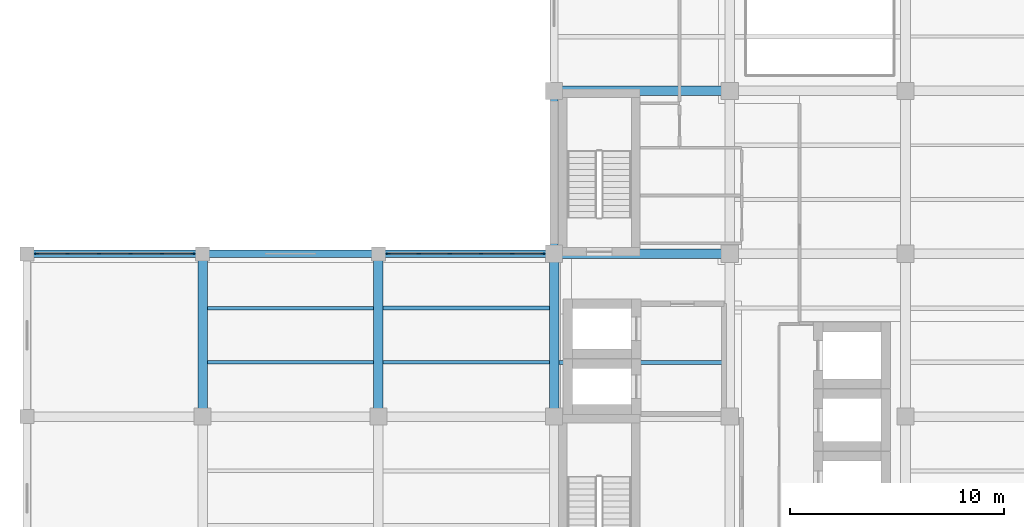
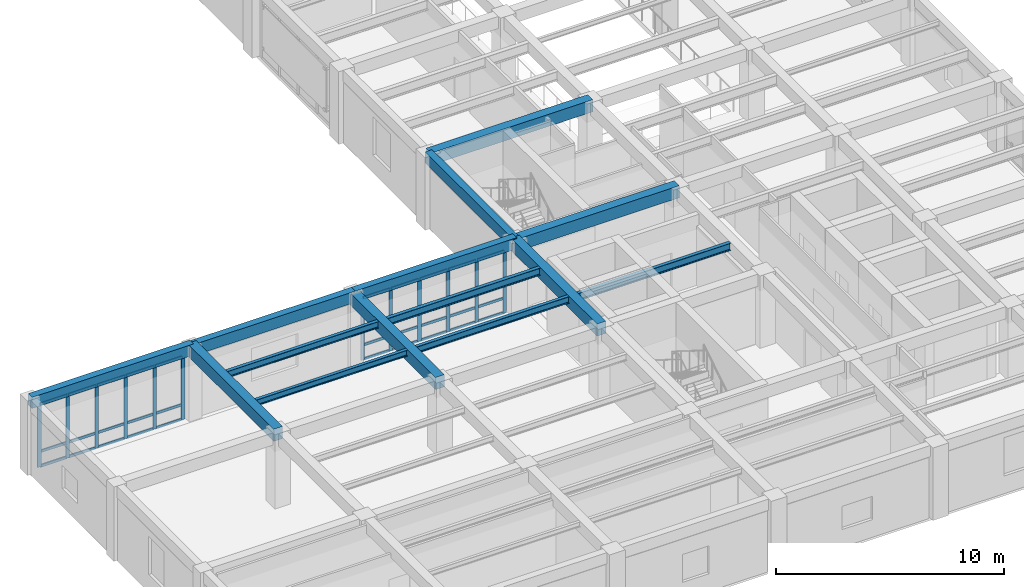
# One storey, part 2 of 15: 42 members, 14 beams, 2 elements without a shape of their own.
"""IFC4 building model written with IfcOpenShell, lengths in metres."""

import ifcopenshell
import ifcopenshell.guid

model = None  # the IFC model being written
_history = None  # IfcOwnerHistory: only IFC2X3 demands one
_inside = {}  # id of a spatial element -> (the spatial element, [elements in it])
_under = {}  # id of a project, library or spatial element -> (it, [spatial elements below it])
_declared = {}  # id of a project -> (the project, [libraries it declares])
_typed = {}  # id of a type object -> (the type object, [elements of that type])
_made_of = {}  # id of a material, layer set ... -> (it, [elements and type objects made of it])


def new_model(schema):
    """Start an empty IFC model of exactly this schema.

    Asked for "IFC4X3", IfcOpenShell would pick the latest addendum, in which some entities
    have other attributes; the version numbers below select the first issue.
    IFC2X3 requires an IfcOwnerHistory on every rooted entity: one is made here for all.
    """
    global model, _history
    if schema == "IFC4X3":
        model = ifcopenshell.file(schema_version=(4, 3, 0, 0))
    else:
        model = ifcopenshell.file(schema=schema)
    _inside.clear()
    _under.clear()
    _declared.clear()
    _typed.clear()
    _made_of.clear()
    _history = None
    if model.schema == "IFC2X3":
        org = make("IfcOrganization", Name="unknown")
        user = make(
            "IfcPersonAndOrganization",
            ThePerson=make("IfcPerson", FamilyName="unknown"),
            TheOrganization=org,
        )
        app = make(
            "IfcApplication",
            ApplicationDeveloper=org,
            Version="unknown",
            ApplicationFullName="unknown",
            ApplicationIdentifier="unknown",
        )
        _history = make(
            "IfcOwnerHistory",
            OwningUser=user,
            OwningApplication=app,
            ChangeAction="ADDED",
            CreationDate=0,
        )
    return model


def make(cls, **values):
    """One entity of the class cls with the attributes given. An attribute that is None is left unset."""
    return model.create_entity(
        cls, **{name: value for name, value in values.items() if value is not None}
    )


def rooted(cls, **values):
    """An entity with a GlobalId (a new one), such as an element, a storey or a relation."""
    return make(cls, GlobalId=ifcopenshell.guid.new(), OwnerHistory=_history, **values)


def si_unit(unit_type, name, prefix=None):
    """IfcSIUnit, for example si_unit("LENGTHUNIT", "METRE", prefix="MILLI")."""
    return make("IfcSIUnit", UnitType=unit_type, Prefix=prefix, Name=name)


def assignment(units):
    """IfcUnitAssignment: the units of a project."""
    return None if units is None else make("IfcUnitAssignment", Units=units)


def point(xyz):
    """IfcCartesianPoint."""
    return None if xyz is None else make("IfcCartesianPoint", Coordinates=xyz)


def direction(xyz):
    """IfcDirection."""
    return None if xyz is None else make("IfcDirection", DirectionRatios=xyz)


def frame(location, z_axis=None, x_axis=None):
    """IfcAxis2Placement3D, a coordinate frame: its origin and axes. An axis left out is left unset."""
    return make(
        "IfcAxis2Placement3D",
        Location=point(location),
        Axis=direction(z_axis),
        RefDirection=direction(x_axis),
    )


def frame_2d(location, x_axis=None):
    """IfcAxis2Placement2D, a coordinate frame in the plane: its origin and x axis."""
    return make(
        "IfcAxis2Placement2D", Location=point(location), RefDirection=direction(x_axis)
    )


def origin():
    """The frame at (0, 0, 0) with its axes left unset."""
    return frame((0.0, 0.0, 0.0))


def origin_2d():
    """The frame at (0, 0) in the plane with its x axis left unset."""
    return frame_2d((0.0, 0.0))


def place(relative_to, where):
    """IfcLocalPlacement: puts the frame where relative to a parent placement (None: the world)."""
    return make(
        "IfcLocalPlacement", PlacementRelTo=relative_to, RelativePlacement=where
    )


def context(
    kind, dimensions, precision=None, world=None, true_north=None, identifier=None
):
    """IfcGeometricRepresentationContext, for example the 3D "Model" context."""
    return make(
        "IfcGeometricRepresentationContext",
        ContextIdentifier=identifier,
        ContextType=kind,
        CoordinateSpaceDimension=dimensions,
        Precision=precision,
        WorldCoordinateSystem=world,
        TrueNorth=true_north,
    )


def subcontext(parent, identifier, kind, view, scale=None):
    """IfcGeometricRepresentationSubContext, for example "Body" below "Model"."""
    return make(
        "IfcGeometricRepresentationSubContext",
        ContextIdentifier=identifier,
        ContextType=kind,
        ParentContext=parent,
        TargetScale=scale,
        TargetView=view,
    )


def project(units=None, contexts=None):
    """IfcProject with its units and contexts."""
    return rooted(
        "IfcProject",
        Name="project",
        RepresentationContexts=contexts,
        UnitsInContext=assignment(units),
    )


def spatial(cls, under=None, at=None, **own):
    """A site, building, storey or space (cls), placed at a placement, below another one or the project."""
    s = rooted(cls, ObjectPlacement=at, **own)
    if under is not None:
        _under.setdefault(under.id(), (under, []))[1].append(s)
    return s


def profile(cls, at=None, kind="AREA", **sizes):
    """A parametric profile (cls). Its sizes go by their IFC names, for example OverallWidth=200.0."""
    return make(cls, ProfileType=kind, Position=at, **sizes)


def rectangle(**sizes):
    """IfcRectangleProfileDef."""
    return profile("IfcRectangleProfileDef", **sizes)


def i_section(**sizes):
    """IfcIShapeProfileDef."""
    return profile("IfcIShapeProfileDef", **sizes)


def extrude(swept, where, along, depth):
    """IfcExtrudedAreaSolid: the profile swept, set in the frame where, extruded along a direction by depth."""
    return make(
        "IfcExtrudedAreaSolid",
        SweptArea=swept,
        Position=where,
        ExtrudedDirection=direction(along),
        Depth=depth,
    )


def shape(context_of_items, identifier, shape_type, items):
    """IfcShapeRepresentation: the items that make up one representation, for example the "Body"."""
    return make(
        "IfcShapeRepresentation",
        ContextOfItems=context_of_items,
        RepresentationIdentifier=identifier,
        RepresentationType=shape_type,
        Items=items,
    )


def material(Name=None, Category=None):
    """IfcMaterial."""
    return make("IfcMaterial", Name=Name, Category=Category)


def material_profile(
    of_material, cross_section, Name=None, Category=None, Priority=None
):
    """IfcMaterialProfile: a cross section and its material."""
    return make(
        "IfcMaterialProfile",
        Name=Name,
        Material=of_material,
        Profile=cross_section,
        Priority=Priority,
        Category=Category,
    )


def profile_set(profiles, Name=None, composite=None):
    """IfcMaterialProfileSet."""
    return make(
        "IfcMaterialProfileSet",
        Name=Name,
        MaterialProfiles=profiles,
        CompositeProfile=composite,
    )


def made_of(thing, what):
    """Note that an element or type object is made of a material, layer set ...; save() writes the relation."""
    if what is not None:
        _made_of.setdefault(what.id(), (what, []))[1].append(thing)
    return thing


def type_object(cls, material=None, **own):
    """A type object (cls), such as IfcWallType, which elements share."""
    return made_of(rooted(cls, **own), material)


def element(
    cls,
    number,
    at=None,
    inside=None,
    cuts=None,
    type_object=None,
    material=None,
    context=None,
    identifier="Body",
    shape_type=None,
    held_by="IfcProductDefinitionShape",
    body=None,
    shapes=None,
    **own,
):
    """One element of the class cls, such as IfcWall. Its Tag is "e" and its number.

    at: its placement. inside: the storey or other place that contains it. cuts: it is an
    opening in that element (IfcRelVoidsElement). A single representation is given by context,
    identifier, shape_type and body (its items); several are given by shapes. held_by: the class
    of the entity that holds the representations. save() writes the other relations.
    """
    e = rooted(cls, Tag="e%d" % number, ObjectPlacement=at, **own)
    if body is not None:
        shapes = [shape(context, identifier, shape_type, body)]
    if shapes is not None:
        e.Representation = make(held_by, Representations=shapes)
    if inside is not None:
        _inside.setdefault(inside.id(), (inside, []))[1].append(e)
    if cuts is not None:
        rooted(
            "IfcRelVoidsElement", RelatingBuildingElement=cuts, RelatedOpeningElement=e
        )
    if type_object is not None:
        _typed.setdefault(type_object.id(), (type_object, []))[1].append(e)
    return made_of(e, material)


def aggregate(whole, parts):
    """IfcRelAggregates: a whole, such as a stair, and the parts it consists of."""
    return rooted("IfcRelAggregates", RelatingObject=whole, RelatedObjects=parts)


def save(model, path):
    """Write the relations noted so far, then the file.

    IfcRelAggregates (storeys below a building ...), IfcRelContainedInSpatialStructure (elements
    in a storey), IfcRelDefinesByType, IfcRelAssociatesMaterial and IfcRelDeclares: one each for
    every whole, place, type object, material and project.
    """
    for whole, parts in _under.values():
        aggregate(whole, parts)
    for where, things in _inside.values():
        rooted(
            "IfcRelContainedInSpatialStructure",
            RelatedElements=things,
            RelatingStructure=where,
        )
    for kind, things in _typed.values():
        rooted("IfcRelDefinesByType", RelatedObjects=things, RelatingType=kind)
    for what, things in _made_of.values():
        rooted("IfcRelAssociatesMaterial", RelatedObjects=things, RelatingMaterial=what)
    for by, libraries in _declared.values():
        rooted("IfcRelDeclares", RelatingContext=by, RelatedDefinitions=libraries)
    model.write(path)


model = new_model("IFC4")

# Units and contexts
model_context = context("Model", 3, precision=1e-05, world=origin(), true_north=direction((0.0, 1.0)))
body_context = subcontext(model_context, "Body", "Model", "MODEL_VIEW")
ifc_project = project(units=[si_unit("LENGTHUNIT", "METRE"), si_unit("AREAUNIT", "SQUARE_METRE"), si_unit("VOLUMEUNIT", "CUBIC_METRE"), si_unit("PLANEANGLEUNIT", "RADIAN"), si_unit("MASSUNIT", "GRAM", prefix="KILO")], contexts=[model_context])

# Site, building, storey
site_placement = place(None, origin())
site = spatial("IfcSite", under=ifc_project, at=site_placement, CompositionType="ELEMENT")
building_placement = place(site_placement, origin())
building = spatial("IfcBuilding", under=site, at=building_placement, Name="Qandaris Square Conservatory and Botanical Centre", CompositionType="ELEMENT")
storey_placement = place(building_placement, frame((0.0, 0.0, 32.39990234375)))
storey = spatial("IfcBuildingStorey", under=building, at=storey_placement, Name="L07", CompositionType="ELEMENT", Elevation=32.39990234375)

# Beams
ifc_material_1 = material(Name="Steel S355", Category="steel")
ifc_material_profile_1 = material_profile(ifc_material_1, i_section(OverallWidth=0.159912109375, OverallDepth=0.330078125, WebThickness=0.007568359375, FlangeThickness=0.011474609375, FilletRadius=0.01806640625, at=origin_2d()), Name="IPE 330")
ifc_profile_set_1 = profile_set([ifc_material_profile_1], Name="Steel S355")
beam_type_1 = type_object("IfcBeamType", Name="Composite Lab Joist IPE 330", PredefinedType="JOIST", material=ifc_profile_set_1)
beam_1_placement = place(storey_placement, frame((123.02490234375, 34.333251953125, 3.715087890625), z_axis=(1.0, 0.0, 0.0), x_axis=(0.0, 1.0, 0.0)))
element("IfcBeam", 1, at=beam_1_placement, inside=storey, type_object=beam_type_1, Name="L07 Composite Joist 2168", PredefinedType="JOIST", context=body_context, shape_type="SweptSolid", body=[
    extrude(i_section(OverallWidth=0.159912109375, OverallDepth=0.330078125, WebThickness=0.007568359375, FlangeThickness=0.011474609375, FilletRadius=0.01806640625, at=origin_2d()), origin(), (0.0, 0.0, 1.0), 7.75),
])
ifc_material_profile_2 = material_profile(ifc_material_1, i_section(OverallWidth=0.169921875, OverallDepth=0.360107421875, WebThickness=0.008056640625, FlangeThickness=0.0126953125, FilletRadius=0.01806640625, at=origin_2d()), Name="IPE 360")
ifc_profile_set_2 = profile_set([ifc_material_profile_2], Name="Steel S355")
beam_type_2 = type_object("IfcBeamType", Name="Composite Lab Joist IPE 360", PredefinedType="JOIST", material=ifc_profile_set_2)
for number, where, z_axis, x_axis, name in (
    (2, (123.02490234375, 36.86669921875, 3.7001953125), (1.0, 0.0, 0.0), (0.0, 1.0, 0.0), "L07 Composite Joist 2169"),
    (3, (131.22509765625, 34.333251953125, 3.7001953125), (1.0, 0.0, 0.0), (0.0, 1.0, 0.0), "L07 Composite Joist 2174"),
):
    element("IfcBeam", number, at=place(storey_placement, frame(where, z_axis=z_axis, x_axis=x_axis)), inside=storey, type_object=beam_type_2, Name=name, PredefinedType="JOIST", context=body_context, shape_type="SweptSolid", body=[
        extrude(i_section(OverallWidth=0.169921875, OverallDepth=0.360107421875, WebThickness=0.008056640625, FlangeThickness=0.0126953125, FilletRadius=0.01806640625, at=origin_2d()), origin(), (0.0, 0.0, 1.0), 7.75),
    ])
ifc_material_profile_3 = material_profile(ifc_material_1, i_section(OverallWidth=0.179931640625, OverallDepth=0.39990234375, WebThickness=0.008544921875, FlangeThickness=0.013427734375, FilletRadius=0.02099609375, at=origin_2d()), Name="IPE 400")
ifc_profile_set_3 = profile_set([ifc_material_profile_3], Name="Steel S355")
beam_type_3 = type_object("IfcBeamType", Name="Composite Plinth Joist IPE 400", PredefinedType="JOIST", material=ifc_profile_set_3)
for number, where, z_axis, x_axis, name in (
    (4, (131.22509765625, 36.86669921875, 3.68017578125), (1.0, 0.0, 0.0), (0.0, 1.0, 0.0), "L07 Composite Joist 2175"),
    (5, (139.425048828125, 34.333251953125, 3.68017578125), (1.0, 0.0, 0.0), (0.0, 1.0, 0.0), "L07 Composite Joist 2178"),
):
    element("IfcBeam", number, at=place(storey_placement, frame(where, z_axis=z_axis, x_axis=x_axis)), inside=storey, type_object=beam_type_3, Name=name, PredefinedType="JOIST", context=body_context, shape_type="SweptSolid", body=[
        extrude(i_section(OverallWidth=0.179931640625, OverallDepth=0.39990234375, WebThickness=0.008544921875, FlangeThickness=0.013427734375, FilletRadius=0.02099609375, at=origin_2d()), origin(), (0.0, 0.0, 1.0), 7.75),
    ])

# Curtain wall, members
ifc_material_2 = material(Name="Anodised Aluminium", Category="aluminium")
curtain_wall_type_1 = type_object("IfcCurtainWallType", Name="Unitised Curtain Wall CW-4-727x334", PredefinedType="USERDEFINED", material=ifc_material_2)
curtain_wall_1_placement = place(storey_placement, origin())
curtain_wall_1 = element("IfcCurtainWall", 6, at=curtain_wall_1_placement, inside=storey, type_object=curtain_wall_type_1, Name="Curtain Wall CW-TWR-L07-5-1", ObjectType="GLAZED CURTAIN WALL", PredefinedType="USERDEFINED")
ifc_material_profile_4 = material_profile(ifc_material_2, rectangle(XDim=0.06494140625, YDim=0.179931640625, at=origin_2d()), Name="ALU-MUL 65x180")
ifc_profile_set_4 = profile_set([ifc_material_profile_4], Name="Anodised Aluminium")
member_type_1 = type_object("IfcMemberType", Name="Curtain Wall Mullion 65x180", PredefinedType="MULLION", material=ifc_profile_set_4)
member_1_placement = place(storey_placement, frame((138.66748046875, 39.39990234375, 0.0), z_axis=(0.0, 0.0, 1.0), x_axis=(0.0, -1.0, 0.0)))
member_1 = element("IfcMember", 7, at=member_1_placement, type_object=member_type_1, Name="CW-4-727x334 mullion 1", PredefinedType="MULLION", context=body_context, shape_type="SweptSolid", body=[
    extrude(rectangle(XDim=0.06494140625, YDim=0.179931640625, at=origin_2d()), origin(), (0.0, 0.0, 1.0), 3.34521484375),
])
member_2_placement = place(storey_placement, frame((137.2451171875, 39.39990234375, 0.0), z_axis=(0.0, 0.0, 1.0), x_axis=(0.0, -1.0, 0.0)))
member_2 = element("IfcMember", 8, at=member_2_placement, type_object=member_type_1, Name="CW-4-727x334 mullion 2", PredefinedType="MULLION", context=body_context, shape_type="SweptSolid", body=[
    extrude(rectangle(XDim=0.06494140625, YDim=0.179931640625, at=origin_2d()), origin(), (0.0, 0.0, 1.0), 3.34521484375),
])
member_3_placement = place(storey_placement, frame((135.7900390625, 39.39990234375, 0.0), z_axis=(0.0, 0.0, 1.0), x_axis=(0.0, -1.0, 0.0)))
member_3 = element("IfcMember", 9, at=member_3_placement, type_object=member_type_1, Name="CW-4-727x334 mullion 3", PredefinedType="MULLION", context=body_context, shape_type="SweptSolid", body=[
    extrude(rectangle(XDim=0.06494140625, YDim=0.179931640625, at=origin_2d()), origin(), (0.0, 0.0, 1.0), 3.34521484375),
])
member_4_placement = place(storey_placement, frame((134.3349609375, 39.39990234375, 0.0), z_axis=(0.0, 0.0, 1.0), x_axis=(0.0, -1.0, 0.0)))
member_4 = element("IfcMember", 10, at=member_4_placement, type_object=member_type_1, Name="CW-4-727x334 mullion 4", PredefinedType="MULLION", context=body_context, shape_type="SweptSolid", body=[
    extrude(rectangle(XDim=0.06494140625, YDim=0.179931640625, at=origin_2d()), origin(), (0.0, 0.0, 1.0), 3.34521484375),
])
member_5_placement = place(storey_placement, frame((132.8798828125, 39.39990234375, 0.0), z_axis=(0.0, 0.0, 1.0), x_axis=(0.0, -1.0, 0.0)))
member_5 = element("IfcMember", 11, at=member_5_placement, type_object=member_type_1, Name="CW-4-727x334 mullion 5", PredefinedType="MULLION", context=body_context, shape_type="SweptSolid", body=[
    extrude(rectangle(XDim=0.06494140625, YDim=0.179931640625, at=origin_2d()), origin(), (0.0, 0.0, 1.0), 3.34521484375),
])
member_6_placement = place(storey_placement, frame((131.45751953125, 39.39990234375, 0.0), z_axis=(0.0, 0.0, 1.0), x_axis=(0.0, -1.0, 0.0)))
member_6 = element("IfcMember", 12, at=member_6_placement, type_object=member_type_1, Name="CW-4-727x334 mullion 6", PredefinedType="MULLION", context=body_context, shape_type="SweptSolid", body=[
    extrude(rectangle(XDim=0.06494140625, YDim=0.179931640625, at=origin_2d()), origin(), (0.0, 0.0, 1.0), 3.34521484375),
])

curtain_wall_type_2 = type_object("IfcCurtainWallType", Name="Unitised Curtain Wall CW-4-735x338", PredefinedType="USERDEFINED", material=ifc_material_2)
curtain_wall_2_placement = place(storey_placement, origin())
curtain_wall_2 = element("IfcCurtainWall", 13, at=curtain_wall_2_placement, inside=storey, type_object=curtain_wall_type_2, Name="Curtain Wall CW-TWR-L07-5-3", ObjectType="GLAZED CURTAIN WALL", PredefinedType="USERDEFINED")
member_7_placement = place(storey_placement, frame((122.342529296875, 39.39990234375, 0.0), z_axis=(0.0, 0.0, 1.0), x_axis=(0.0, -1.0, 0.0)))
member_7 = element("IfcMember", 14, at=member_7_placement, type_object=member_type_1, Name="CW-4-735x338 mullion 1", PredefinedType="MULLION", context=body_context, shape_type="SweptSolid", body=[
    extrude(rectangle(XDim=0.06494140625, YDim=0.179931640625, at=origin_2d()), origin(), (0.0, 0.0, 1.0), 3.385009765625),
])
member_8_placement = place(storey_placement, frame((120.905029296875, 39.39990234375, 0.0), z_axis=(0.0, 0.0, 1.0), x_axis=(0.0, -1.0, 0.0)))
member_8 = element("IfcMember", 15, at=member_8_placement, type_object=member_type_1, Name="CW-4-735x338 mullion 2", PredefinedType="MULLION", context=body_context, shape_type="SweptSolid", body=[
    extrude(rectangle(XDim=0.06494140625, YDim=0.179931640625, at=origin_2d()), origin(), (0.0, 0.0, 1.0), 3.385009765625),
])
member_9_placement = place(storey_placement, frame((119.43505859375, 39.39990234375, 0.0), z_axis=(0.0, 0.0, 1.0), x_axis=(0.0, -1.0, 0.0)))
member_9 = element("IfcMember", 16, at=member_9_placement, type_object=member_type_1, Name="CW-4-735x338 mullion 3", PredefinedType="MULLION", context=body_context, shape_type="SweptSolid", body=[
    extrude(rectangle(XDim=0.06494140625, YDim=0.179931640625, at=origin_2d()), origin(), (0.0, 0.0, 1.0), 3.385009765625),
])
member_10_placement = place(storey_placement, frame((117.965087890625, 39.39990234375, 0.0), z_axis=(0.0, 0.0, 1.0), x_axis=(0.0, -1.0, 0.0)))
member_10 = element("IfcMember", 17, at=member_10_placement, type_object=member_type_1, Name="CW-4-735x338 mullion 4", PredefinedType="MULLION", context=body_context, shape_type="SweptSolid", body=[
    extrude(rectangle(XDim=0.06494140625, YDim=0.179931640625, at=origin_2d()), origin(), (0.0, 0.0, 1.0), 3.385009765625),
])
member_11_placement = place(storey_placement, frame((116.4951171875, 39.39990234375, 0.0), z_axis=(0.0, 0.0, 1.0), x_axis=(0.0, -1.0, 0.0)))
member_11 = element("IfcMember", 18, at=member_11_placement, type_object=member_type_1, Name="CW-4-735x338 mullion 5", PredefinedType="MULLION", context=body_context, shape_type="SweptSolid", body=[
    extrude(rectangle(XDim=0.06494140625, YDim=0.179931640625, at=origin_2d()), origin(), (0.0, 0.0, 1.0), 3.385009765625),
])
member_12_placement = place(storey_placement, frame((115.0576171875, 39.39990234375, 0.0), z_axis=(0.0, 0.0, 1.0), x_axis=(0.0, -1.0, 0.0)))
member_12 = element("IfcMember", 19, at=member_12_placement, type_object=member_type_1, Name="CW-4-735x338 mullion 6", PredefinedType="MULLION", context=body_context, shape_type="SweptSolid", body=[
    extrude(rectangle(XDim=0.06494140625, YDim=0.179931640625, at=origin_2d()), origin(), (0.0, 0.0, 1.0), 3.385009765625),
])

# Member
ifc_material_profile_5 = material_profile(ifc_material_2, rectangle(XDim=0.06494140625, YDim=0.139892578125, at=origin_2d()), Name="ALU-TRN 65x140")
ifc_profile_set_5 = profile_set([ifc_material_profile_5], Name="Anodised Aluminium")
member_type_2 = type_object("IfcMemberType", Name="Curtain Wall Transom 65x140", PredefinedType="USERDEFINED", material=ifc_profile_set_5)
member_13_placement = place(storey_placement, frame((138.635009765625, 39.39990234375, 0.03271484375), z_axis=(-1.0, 0.0, 0.0), x_axis=(0.0, -1.0, 0.0)))
member_13 = element("IfcMember", 20, at=member_13_placement, type_object=member_type_2, Name="CW-4-727x334 transom 1.1", ObjectType="TRANSOM", PredefinedType="USERDEFINED", context=body_context, shape_type="SweptSolid", body=[
    extrude(rectangle(XDim=0.06494140625, YDim=0.139892578125, at=origin_2d()), origin(), (0.0, 0.0, 1.0), 1.357421875),
])

member_14_placement = place(storey_placement, frame((138.635009765625, 39.39990234375, 0.802978515625), z_axis=(-1.0, 0.0, 0.0), x_axis=(0.0, -1.0, 0.0)))
member_14 = element("IfcMember", 21, at=member_14_placement, type_object=member_type_2, Name="CW-4-727x334 transom 1.2", ObjectType="TRANSOM", PredefinedType="USERDEFINED", context=body_context, shape_type="SweptSolid", body=[
    extrude(rectangle(XDim=0.06494140625, YDim=0.139892578125, at=origin_2d()), origin(), (0.0, 0.0, 1.0), 1.357421875),
])

member_15_placement = place(storey_placement, frame((138.635009765625, 39.39990234375, 3.3125), z_axis=(-1.0, 0.0, 0.0), x_axis=(0.0, -1.0, 0.0)))
member_15 = element("IfcMember", 22, at=member_15_placement, type_object=member_type_2, Name="CW-4-727x334 transom 1.3", ObjectType="TRANSOM", PredefinedType="USERDEFINED", context=body_context, shape_type="SweptSolid", body=[
    extrude(rectangle(XDim=0.06494140625, YDim=0.139892578125, at=origin_2d()), origin(), (0.0, 0.0, 1.0), 1.357421875),
])

member_16_placement = place(storey_placement, frame((137.21240234375, 39.39990234375, 0.03271484375), z_axis=(-1.0, 0.0, 0.0), x_axis=(0.0, -1.0, 0.0)))
member_16 = element("IfcMember", 23, at=member_16_placement, type_object=member_type_2, Name="CW-4-727x334 transom 2.1", ObjectType="TRANSOM", PredefinedType="USERDEFINED", context=body_context, shape_type="SweptSolid", body=[
    extrude(rectangle(XDim=0.06494140625, YDim=0.139892578125, at=origin_2d()), origin(), (0.0, 0.0, 1.0), 1.389892578125),
])

member_17_placement = place(storey_placement, frame((137.21240234375, 39.39990234375, 0.802978515625), z_axis=(-1.0, 0.0, 0.0), x_axis=(0.0, -1.0, 0.0)))
member_17 = element("IfcMember", 24, at=member_17_placement, type_object=member_type_2, Name="CW-4-727x334 transom 2.2", ObjectType="TRANSOM", PredefinedType="USERDEFINED", context=body_context, shape_type="SweptSolid", body=[
    extrude(rectangle(XDim=0.06494140625, YDim=0.139892578125, at=origin_2d()), origin(), (0.0, 0.0, 1.0), 1.389892578125),
])

member_18_placement = place(storey_placement, frame((137.21240234375, 39.39990234375, 3.3125), z_axis=(-1.0, 0.0, 0.0), x_axis=(0.0, -1.0, 0.0)))
member_18 = element("IfcMember", 25, at=member_18_placement, type_object=member_type_2, Name="CW-4-727x334 transom 2.3", ObjectType="TRANSOM", PredefinedType="USERDEFINED", context=body_context, shape_type="SweptSolid", body=[
    extrude(rectangle(XDim=0.06494140625, YDim=0.139892578125, at=origin_2d()), origin(), (0.0, 0.0, 1.0), 1.389892578125),
])

member_19_placement = place(storey_placement, frame((135.757568359375, 39.39990234375, 0.03271484375), z_axis=(-1.0, 0.0, 0.0), x_axis=(0.0, -1.0, 0.0)))
member_19 = element("IfcMember", 26, at=member_19_placement, type_object=member_type_2, Name="CW-4-727x334 transom 3.1", ObjectType="TRANSOM", PredefinedType="USERDEFINED", context=body_context, shape_type="SweptSolid", body=[
    extrude(rectangle(XDim=0.06494140625, YDim=0.139892578125, at=origin_2d()), origin(), (0.0, 0.0, 1.0), 1.39013671875),
])

member_20_placement = place(storey_placement, frame((135.757568359375, 39.39990234375, 0.802978515625), z_axis=(-1.0, 0.0, 0.0), x_axis=(0.0, -1.0, 0.0)))
member_20 = element("IfcMember", 27, at=member_20_placement, type_object=member_type_2, Name="CW-4-727x334 transom 3.2", ObjectType="TRANSOM", PredefinedType="USERDEFINED", context=body_context, shape_type="SweptSolid", body=[
    extrude(rectangle(XDim=0.06494140625, YDim=0.139892578125, at=origin_2d()), origin(), (0.0, 0.0, 1.0), 1.39013671875),
])

member_21_placement = place(storey_placement, frame((135.757568359375, 39.39990234375, 3.3125), z_axis=(-1.0, 0.0, 0.0), x_axis=(0.0, -1.0, 0.0)))
member_21 = element("IfcMember", 28, at=member_21_placement, type_object=member_type_2, Name="CW-4-727x334 transom 3.3", ObjectType="TRANSOM", PredefinedType="USERDEFINED", context=body_context, shape_type="SweptSolid", body=[
    extrude(rectangle(XDim=0.06494140625, YDim=0.139892578125, at=origin_2d()), origin(), (0.0, 0.0, 1.0), 1.39013671875),
])

member_22_placement = place(storey_placement, frame((134.302490234375, 39.39990234375, 0.03271484375), z_axis=(-1.0, 0.0, 0.0), x_axis=(0.0, -1.0, 0.0)))
member_22 = element("IfcMember", 29, at=member_22_placement, type_object=member_type_2, Name="CW-4-727x334 transom 4.1", ObjectType="TRANSOM", PredefinedType="USERDEFINED", context=body_context, shape_type="SweptSolid", body=[
    extrude(rectangle(XDim=0.06494140625, YDim=0.139892578125, at=origin_2d()), origin(), (0.0, 0.0, 1.0), 1.389892578125),
])

member_23_placement = place(storey_placement, frame((134.302490234375, 39.39990234375, 0.802978515625), z_axis=(-1.0, 0.0, 0.0), x_axis=(0.0, -1.0, 0.0)))
member_23 = element("IfcMember", 30, at=member_23_placement, type_object=member_type_2, Name="CW-4-727x334 transom 4.2", ObjectType="TRANSOM", PredefinedType="USERDEFINED", context=body_context, shape_type="SweptSolid", body=[
    extrude(rectangle(XDim=0.06494140625, YDim=0.139892578125, at=origin_2d()), origin(), (0.0, 0.0, 1.0), 1.389892578125),
])

member_24_placement = place(storey_placement, frame((134.302490234375, 39.39990234375, 3.3125), z_axis=(-1.0, 0.0, 0.0), x_axis=(0.0, -1.0, 0.0)))
member_24 = element("IfcMember", 31, at=member_24_placement, type_object=member_type_2, Name="CW-4-727x334 transom 4.3", ObjectType="TRANSOM", PredefinedType="USERDEFINED", context=body_context, shape_type="SweptSolid", body=[
    extrude(rectangle(XDim=0.06494140625, YDim=0.139892578125, at=origin_2d()), origin(), (0.0, 0.0, 1.0), 1.389892578125),
])

member_25_placement = place(storey_placement, frame((132.847412109375, 39.39990234375, 0.03271484375), z_axis=(-1.0, 0.0, 0.0), x_axis=(0.0, -1.0, 0.0)))
member_25 = element("IfcMember", 32, at=member_25_placement, type_object=member_type_2, Name="CW-4-727x334 transom 5.1", ObjectType="TRANSOM", PredefinedType="USERDEFINED", context=body_context, shape_type="SweptSolid", body=[
    extrude(rectangle(XDim=0.06494140625, YDim=0.139892578125, at=origin_2d()), origin(), (0.0, 0.0, 1.0), 1.357421875),
])

member_26_placement = place(storey_placement, frame((132.847412109375, 39.39990234375, 0.802978515625), z_axis=(-1.0, 0.0, 0.0), x_axis=(0.0, -1.0, 0.0)))
member_26 = element("IfcMember", 33, at=member_26_placement, type_object=member_type_2, Name="CW-4-727x334 transom 5.2", ObjectType="TRANSOM", PredefinedType="USERDEFINED", context=body_context, shape_type="SweptSolid", body=[
    extrude(rectangle(XDim=0.06494140625, YDim=0.139892578125, at=origin_2d()), origin(), (0.0, 0.0, 1.0), 1.357421875),
])

member_27_placement = place(storey_placement, frame((132.847412109375, 39.39990234375, 3.3125), z_axis=(-1.0, 0.0, 0.0), x_axis=(0.0, -1.0, 0.0)))
member_27 = element("IfcMember", 34, at=member_27_placement, type_object=member_type_2, Name="CW-4-727x334 transom 5.3", ObjectType="TRANSOM", PredefinedType="USERDEFINED", context=body_context, shape_type="SweptSolid", body=[
    extrude(rectangle(XDim=0.06494140625, YDim=0.139892578125, at=origin_2d()), origin(), (0.0, 0.0, 1.0), 1.357421875),
])

aggregate(curtain_wall_1, [member_1, member_2, member_3, member_4, member_5, member_6, member_13, member_14, member_15, member_16, member_17, member_18, member_19, member_20, member_21, member_22, member_23, member_24, member_25, member_26, member_27])

member_28_placement = place(storey_placement, frame((122.31005859375, 39.39990234375, 0.03271484375), z_axis=(-1.0, 0.0, 0.0), x_axis=(0.0, -1.0, 0.0)))
member_28 = element("IfcMember", 35, at=member_28_placement, type_object=member_type_2, Name="CW-4-735x338 transom 1.1", ObjectType="TRANSOM", PredefinedType="USERDEFINED", context=body_context, shape_type="SweptSolid", body=[
    extrude(rectangle(XDim=0.06494140625, YDim=0.139892578125, at=origin_2d()), origin(), (0.0, 0.0, 1.0), 1.37255859375),
])

member_29_placement = place(storey_placement, frame((122.31005859375, 39.39990234375, 0.8125), z_axis=(-1.0, 0.0, 0.0), x_axis=(0.0, -1.0, 0.0)))
member_29 = element("IfcMember", 36, at=member_29_placement, type_object=member_type_2, Name="CW-4-735x338 transom 1.2", ObjectType="TRANSOM", PredefinedType="USERDEFINED", context=body_context, shape_type="SweptSolid", body=[
    extrude(rectangle(XDim=0.06494140625, YDim=0.139892578125, at=origin_2d()), origin(), (0.0, 0.0, 1.0), 1.37255859375),
])

member_30_placement = place(storey_placement, frame((122.31005859375, 39.39990234375, 3.3525390625), z_axis=(-1.0, 0.0, 0.0), x_axis=(0.0, -1.0, 0.0)))
member_30 = element("IfcMember", 37, at=member_30_placement, type_object=member_type_2, Name="CW-4-735x338 transom 1.3", ObjectType="TRANSOM", PredefinedType="USERDEFINED", context=body_context, shape_type="SweptSolid", body=[
    extrude(rectangle(XDim=0.06494140625, YDim=0.139892578125, at=origin_2d()), origin(), (0.0, 0.0, 1.0), 1.37255859375),
])

member_31_placement = place(storey_placement, frame((120.87255859375, 39.39990234375, 0.03271484375), z_axis=(-1.0, 0.0, 0.0), x_axis=(0.0, -1.0, 0.0)))
member_31 = element("IfcMember", 38, at=member_31_placement, type_object=member_type_2, Name="CW-4-735x338 transom 2.1", ObjectType="TRANSOM", PredefinedType="USERDEFINED", context=body_context, shape_type="SweptSolid", body=[
    extrude(rectangle(XDim=0.06494140625, YDim=0.139892578125, at=origin_2d()), origin(), (0.0, 0.0, 1.0), 1.405029296875),
])

member_32_placement = place(storey_placement, frame((120.87255859375, 39.39990234375, 0.8125), z_axis=(-1.0, 0.0, 0.0), x_axis=(0.0, -1.0, 0.0)))
member_32 = element("IfcMember", 39, at=member_32_placement, type_object=member_type_2, Name="CW-4-735x338 transom 2.2", ObjectType="TRANSOM", PredefinedType="USERDEFINED", context=body_context, shape_type="SweptSolid", body=[
    extrude(rectangle(XDim=0.06494140625, YDim=0.139892578125, at=origin_2d()), origin(), (0.0, 0.0, 1.0), 1.405029296875),
])

member_33_placement = place(storey_placement, frame((120.87255859375, 39.39990234375, 3.3525390625), z_axis=(-1.0, 0.0, 0.0), x_axis=(0.0, -1.0, 0.0)))
member_33 = element("IfcMember", 40, at=member_33_placement, type_object=member_type_2, Name="CW-4-735x338 transom 2.3", ObjectType="TRANSOM", PredefinedType="USERDEFINED", context=body_context, shape_type="SweptSolid", body=[
    extrude(rectangle(XDim=0.06494140625, YDim=0.139892578125, at=origin_2d()), origin(), (0.0, 0.0, 1.0), 1.405029296875),
])

member_34_placement = place(storey_placement, frame((119.402587890625, 39.39990234375, 0.03271484375), z_axis=(-1.0, 0.0, 0.0), x_axis=(0.0, -1.0, 0.0)))
member_34 = element("IfcMember", 41, at=member_34_placement, type_object=member_type_2, Name="CW-4-735x338 transom 3.1", ObjectType="TRANSOM", PredefinedType="USERDEFINED", context=body_context, shape_type="SweptSolid", body=[
    extrude(rectangle(XDim=0.06494140625, YDim=0.139892578125, at=origin_2d()), origin(), (0.0, 0.0, 1.0), 1.405029296875),
])

member_35_placement = place(storey_placement, frame((119.402587890625, 39.39990234375, 0.8125), z_axis=(-1.0, 0.0, 0.0), x_axis=(0.0, -1.0, 0.0)))
member_35 = element("IfcMember", 42, at=member_35_placement, type_object=member_type_2, Name="CW-4-735x338 transom 3.2", ObjectType="TRANSOM", PredefinedType="USERDEFINED", context=body_context, shape_type="SweptSolid", body=[
    extrude(rectangle(XDim=0.06494140625, YDim=0.139892578125, at=origin_2d()), origin(), (0.0, 0.0, 1.0), 1.405029296875),
])

member_36_placement = place(storey_placement, frame((119.402587890625, 39.39990234375, 3.3525390625), z_axis=(-1.0, 0.0, 0.0), x_axis=(0.0, -1.0, 0.0)))
member_36 = element("IfcMember", 43, at=member_36_placement, type_object=member_type_2, Name="CW-4-735x338 transom 3.3", ObjectType="TRANSOM", PredefinedType="USERDEFINED", context=body_context, shape_type="SweptSolid", body=[
    extrude(rectangle(XDim=0.06494140625, YDim=0.139892578125, at=origin_2d()), origin(), (0.0, 0.0, 1.0), 1.405029296875),
])

member_37_placement = place(storey_placement, frame((117.9326171875, 39.39990234375, 0.03271484375), z_axis=(-1.0, 0.0, 0.0), x_axis=(0.0, -1.0, 0.0)))
member_37 = element("IfcMember", 44, at=member_37_placement, type_object=member_type_2, Name="CW-4-735x338 transom 4.1", ObjectType="TRANSOM", PredefinedType="USERDEFINED", context=body_context, shape_type="SweptSolid", body=[
    extrude(rectangle(XDim=0.06494140625, YDim=0.139892578125, at=origin_2d()), origin(), (0.0, 0.0, 1.0), 1.405029296875),
])

member_38_placement = place(storey_placement, frame((117.9326171875, 39.39990234375, 0.8125), z_axis=(-1.0, 0.0, 0.0), x_axis=(0.0, -1.0, 0.0)))
member_38 = element("IfcMember", 45, at=member_38_placement, type_object=member_type_2, Name="CW-4-735x338 transom 4.2", ObjectType="TRANSOM", PredefinedType="USERDEFINED", context=body_context, shape_type="SweptSolid", body=[
    extrude(rectangle(XDim=0.06494140625, YDim=0.139892578125, at=origin_2d()), origin(), (0.0, 0.0, 1.0), 1.405029296875),
])

member_39_placement = place(storey_placement, frame((117.9326171875, 39.39990234375, 3.3525390625), z_axis=(-1.0, 0.0, 0.0), x_axis=(0.0, -1.0, 0.0)))
member_39 = element("IfcMember", 46, at=member_39_placement, type_object=member_type_2, Name="CW-4-735x338 transom 4.3", ObjectType="TRANSOM", PredefinedType="USERDEFINED", context=body_context, shape_type="SweptSolid", body=[
    extrude(rectangle(XDim=0.06494140625, YDim=0.139892578125, at=origin_2d()), origin(), (0.0, 0.0, 1.0), 1.405029296875),
])

member_40_placement = place(storey_placement, frame((116.46240234375, 39.39990234375, 0.03271484375), z_axis=(-1.0, 0.0, 0.0), x_axis=(0.0, -1.0, 0.0)))
member_40 = element("IfcMember", 47, at=member_40_placement, type_object=member_type_2, Name="CW-4-735x338 transom 5.1", ObjectType="TRANSOM", PredefinedType="USERDEFINED", context=body_context, shape_type="SweptSolid", body=[
    extrude(rectangle(XDim=0.06494140625, YDim=0.139892578125, at=origin_2d()), origin(), (0.0, 0.0, 1.0), 1.372314453125),
])

member_41_placement = place(storey_placement, frame((116.46240234375, 39.39990234375, 0.8125), z_axis=(-1.0, 0.0, 0.0), x_axis=(0.0, -1.0, 0.0)))
member_41 = element("IfcMember", 48, at=member_41_placement, type_object=member_type_2, Name="CW-4-735x338 transom 5.2", ObjectType="TRANSOM", PredefinedType="USERDEFINED", context=body_context, shape_type="SweptSolid", body=[
    extrude(rectangle(XDim=0.06494140625, YDim=0.139892578125, at=origin_2d()), origin(), (0.0, 0.0, 1.0), 1.372314453125),
])

member_42_placement = place(storey_placement, frame((116.46240234375, 39.39990234375, 3.3525390625), z_axis=(-1.0, 0.0, 0.0), x_axis=(0.0, -1.0, 0.0)))
member_42 = element("IfcMember", 49, at=member_42_placement, type_object=member_type_2, Name="CW-4-735x338 transom 5.3", ObjectType="TRANSOM", PredefinedType="USERDEFINED", context=body_context, shape_type="SweptSolid", body=[
    extrude(rectangle(XDim=0.06494140625, YDim=0.139892578125, at=origin_2d()), origin(), (0.0, 0.0, 1.0), 1.372314453125),
])

aggregate(curtain_wall_2, [member_7, member_8, member_9, member_10, member_11, member_12, member_28, member_29, member_30, member_31, member_32, member_33, member_34, member_35, member_36, member_37, member_38, member_39, member_40, member_41, member_42])

# Beams
ifc_material_3 = material(Name="Concrete C50/60", Category="concrete")
ifc_material_profile_6 = material_profile(ifc_material_3, rectangle(XDim=0.35009765625, YDim=0.60009765625, at=origin_2d()), Name="RC-SP 350x600")
ifc_profile_set_6 = profile_set([ifc_material_profile_6], Name="Concrete C50/60")
beam_type_4 = type_object("IfcBeamType", Name="RC Edge Spandrel Beam 350x600", PredefinedType="SPANDREL", material=ifc_profile_set_6)
for number, where, z_axis, x_axis, name in (
    (50, (114.60009765625, 39.39990234375, 3.68505859375), (1.0, 0.0, 0.0), (0.0, 1.0, 0.0), "L07 Frame Beam 2103"),
    (51, (122.800048828125, 39.39990234375, 3.64501953125), (1.0, 0.0, 0.0), (0.0, 1.0, 0.0), "L07 Frame Beam 2104"),
    (52, (131.0, 39.39990234375, 3.64501953125), (1.0, 0.0, 0.0), (0.0, 1.0, 0.0), "L07 Frame Beam 2105"),
):
    element("IfcBeam", number, at=place(storey_placement, frame(where, z_axis=z_axis, x_axis=x_axis)), inside=storey, type_object=beam_type_4, Name=name, PredefinedType="SPANDREL", context=body_context, shape_type="SweptSolid", body=[
        extrude(rectangle(XDim=0.35009765625, YDim=0.60009765625, at=origin_2d()), origin(), (0.0, 0.0, 1.0), 8.199951171875),
    ])
beam_2_placement = place(storey_placement, frame((139.199951171875, 39.39990234375, 3.590087890625), z_axis=(0.0, 1.0, 0.0), x_axis=(-1.0, 0.0, 0.0)))
element("IfcBeam", 53, at=beam_2_placement, inside=storey, type_object=beam_type_4, Name="L07 Frame Beam 2135", PredefinedType="SPANDREL", context=body_context, shape_type="SweptSolid", body=[
    extrude(rectangle(XDim=0.35009765625, YDim=0.60009765625, at=origin_2d()), origin(), (0.0, 0.0, 1.0), 7.60009765625),
])
ifc_material_profile_7 = material_profile(ifc_material_3, rectangle(XDim=0.449951171875, YDim=0.64990234375, at=origin_2d()), Name="RC-BM 450x650")
ifc_profile_set_7 = profile_set([ifc_material_profile_7], Name="Concrete C50/60")
beam_type_5 = type_object("IfcBeamType", Name="RC Floor Girder 450x650", PredefinedType="BEAM", material=ifc_profile_set_7)
for number, where, z_axis, x_axis, name in (
    (54, (139.199951171875, 39.39990234375, 3.565185546875), (1.0, 0.0, 0.0), (0.0, 1.0, 0.0), "L07 Frame Beam 2106"),
    (55, (139.199951171875, 47.0, 3.565185546875), (1.0, 0.0, 0.0), (0.0, 1.0, 0.0), "L07 Frame Beam 2109"),
):
    element("IfcBeam", number, at=place(storey_placement, frame(where, z_axis=z_axis, x_axis=x_axis)), inside=storey, type_object=beam_type_5, Name=name, PredefinedType="BEAM", context=body_context, shape_type="SweptSolid", body=[
        extrude(rectangle(XDim=0.449951171875, YDim=0.64990234375, at=origin_2d()), origin(), (0.0, 0.0, 1.0), 8.199951171875),
    ])
for number, where, z_axis, x_axis, name in (
    (56, (122.800048828125, 31.800048828125, 3.66015625), (0.0, 1.0, 0.0), (-1.0, 0.0, 0.0), "L07 Frame Beam 2128"),
    (57, (131.0, 31.800048828125, 3.565185546875), (0.0, 1.0, 0.0), (-1.0, 0.0, 0.0), "L07 Frame Beam 2131"),
    (58, (139.199951171875, 31.800048828125, 3.565185546875), (0.0, 1.0, 0.0), (-1.0, 0.0, 0.0), "L07 Frame Beam 2134"),
):
    element("IfcBeam", number, at=place(storey_placement, frame(where, z_axis=z_axis, x_axis=x_axis)), inside=storey, type_object=beam_type_5, Name=name, PredefinedType="BEAM", context=body_context, shape_type="SweptSolid", body=[
        extrude(rectangle(XDim=0.449951171875, YDim=0.64990234375, at=origin_2d()), origin(), (0.0, 0.0, 1.0), 7.599853515625),
    ])

save(model, "model.ifc")
